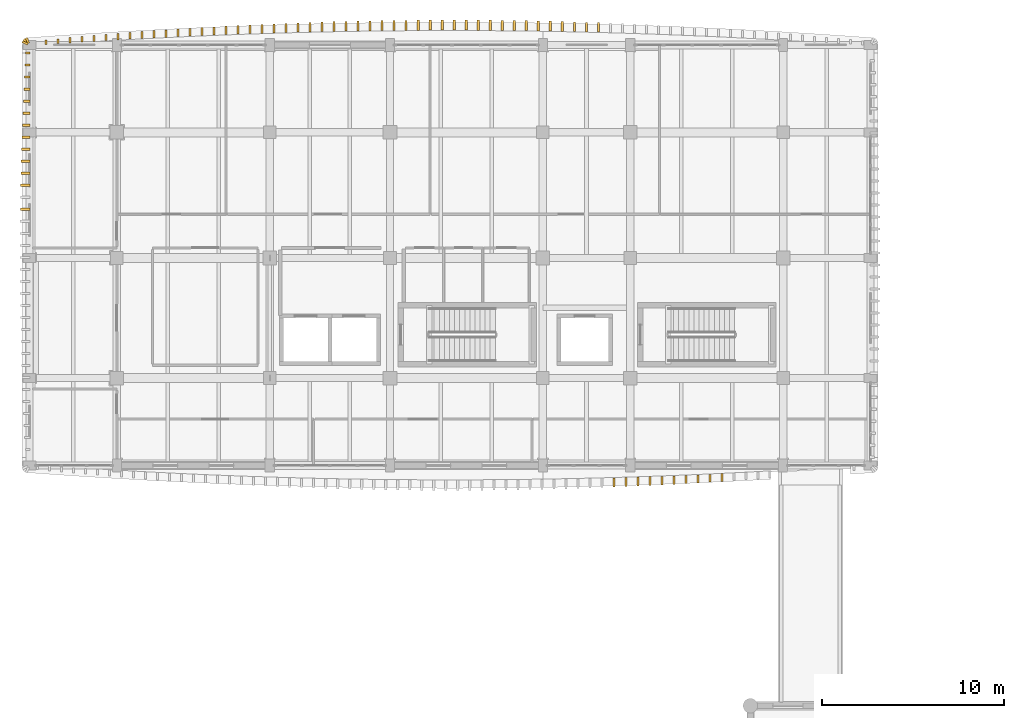
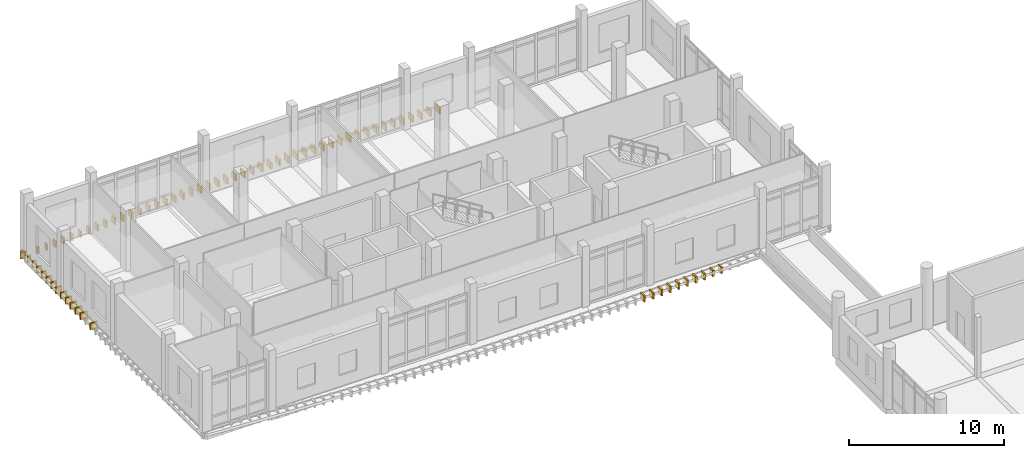
# One storey, part 70 of 76: 73 coverings.
"""IFC4 building model written with IfcOpenShell, lengths in metres."""

from ifc_helpers import new_model, si_unit, direction, frame, origin, origin_2d, place, context, subcontext, project, spatial, rectangle, extrude, material, layer, layer_set, type_object, element, save


model = new_model("IFC4")

# Units and contexts
model_context = context("Model", 3, precision=1e-05, world=origin(), true_north=direction((0.0, 1.0)))
body_context = subcontext(model_context, "Body", "Model", "MODEL_VIEW")
ifc_project = project(units=[si_unit("LENGTHUNIT", "METRE"), si_unit("AREAUNIT", "SQUARE_METRE"), si_unit("VOLUMEUNIT", "CUBIC_METRE"), si_unit("PLANEANGLEUNIT", "RADIAN"), si_unit("MASSUNIT", "GRAM", prefix="KILO")], contexts=[model_context])

# Site, building, storey
site_placement = place(None, origin())
site = spatial("IfcSite", under=ifc_project, at=site_placement, CompositionType="ELEMENT")
building_placement = place(site_placement, origin())
building = spatial("IfcBuilding", under=site, at=building_placement, Name="Dornvale Research Institute", CompositionType="ELEMENT")
storey_placement = place(building_placement, frame((0.0, 0.0, 15.0)))
storey = spatial("IfcBuildingStorey", under=building, at=storey_placement, Name="L03", CompositionType="ELEMENT", Elevation=15.0)

# Coverings
ifc_material = material(Name="Polychrome Glazed Terracotta Visor Rib Ceramic", Category="masonry")
ifc_layer = layer(ifc_material, 0.1201171875)
ifc_layer_set = layer_set([ifc_layer], Name="Polychrome Glazed Terracotta Visor Rib Ceramic")
covering_type = type_object("IfcCoveringType", Name="Covering_VisorBlade_Main", PredefinedType="CLADDING", material=ifc_layer_set)
covering_1_placement = place(storey_placement, frame((32.10791015625, 98.06640625, -0.489990234375), z_axis=(0.0, 0.0, 1.0), x_axis=(0.0, 1.0, 0.0)))
element("IfcCovering", 1, at=covering_1_placement, inside=storey, type_object=covering_type, Name="L03 V5 canted glazed terracotta visor blade #459", PredefinedType="CLADDING", context=body_context, shape_type="SweptSolid", body=[
    extrude(rectangle(XDim=0.508056640625, YDim=0.1201171875, at=origin_2d()), origin(), (0.0, 0.0, 1.0), 0.5),
])
covering_2_placement = place(storey_placement, frame((32.767578125, 98.0888671875, -0.489990234375), z_axis=(0.0, 0.0, 1.0), x_axis=(0.0, 1.0, 0.0)))
element("IfcCovering", 2, at=covering_2_placement, inside=storey, type_object=covering_type, Name="L03 V5 canted glazed terracotta visor blade #460", PredefinedType="CLADDING", context=body_context, shape_type="SweptSolid", body=[
    extrude(rectangle(XDim=0.5009765625, YDim=0.1201171875, at=origin_2d()), origin(), (0.0, 0.0, 1.0), 0.5),
])
covering_3_placement = place(storey_placement, frame((33.42724609375, 98.11474609375, -0.489990234375), z_axis=(0.0, 0.0, 1.0), x_axis=(0.0, 1.0, 0.0)))
element("IfcCovering", 3, at=covering_3_placement, inside=storey, type_object=covering_type, Name="L03 V5 canted glazed terracotta visor blade #461", PredefinedType="CLADDING", context=body_context, shape_type="SweptSolid", body=[
    extrude(rectangle(XDim=0.491943359375, YDim=0.1201171875, at=origin_2d()), origin(), (0.0, 0.0, 1.0), 0.5),
])
covering_4_placement = place(storey_placement, frame((34.0869140625, 98.141845703125, -0.489990234375), z_axis=(0.0, 0.0, 1.0), x_axis=(0.0, 1.0, 0.0)))
element("IfcCovering", 4, at=covering_4_placement, inside=storey, type_object=covering_type, Name="L03 V5 canted glazed terracotta visor blade #462", PredefinedType="CLADDING", context=body_context, shape_type="SweptSolid", body=[
    extrude(rectangle(XDim=0.48291015625, YDim=0.1201171875, at=origin_2d()), origin(), (0.0, 0.0, 1.0), 0.5),
])
covering_5_placement = place(storey_placement, frame((34.74658203125, 98.169189453125, -0.489990234375), z_axis=(0.0, 0.0, 1.0), x_axis=(0.0, 1.0, 0.0)))
element("IfcCovering", 5, at=covering_5_placement, inside=storey, type_object=covering_type, Name="L03 V5 canted glazed terracotta visor blade #463", PredefinedType="CLADDING", context=body_context, shape_type="SweptSolid", body=[
    extrude(rectangle(XDim=0.47412109375, YDim=0.1201171875, at=origin_2d()), origin(), (0.0, 0.0, 1.0), 0.5),
])
covering_6_placement = place(storey_placement, frame((35.406005859375, 98.2001953125, -0.489990234375), z_axis=(0.0, 0.0, 1.0), x_axis=(0.0, 1.0, 0.0)))
element("IfcCovering", 6, at=covering_6_placement, inside=storey, type_object=covering_type, Name="L03 V5 canted glazed terracotta visor blade #464", PredefinedType="CLADDING", context=body_context, shape_type="SweptSolid", body=[
    extrude(rectangle(XDim=0.464111328125, YDim=0.1201171875, at=origin_2d()), origin(), (0.0, 0.0, 1.0), 0.5),
])
covering_7_placement = place(storey_placement, frame((36.0654296875, 98.231689453125, -0.489990234375), z_axis=(0.0, 0.0, 1.0), x_axis=(0.0, 1.0, 0.0)))
element("IfcCovering", 7, at=covering_7_placement, inside=storey, type_object=covering_type, Name="L03 V5 canted glazed terracotta visor blade #465", PredefinedType="CLADDING", context=body_context, shape_type="SweptSolid", body=[
    extrude(rectangle(XDim=0.452880859375, YDim=0.1201171875, at=origin_2d()), origin(), (0.0, 0.0, 1.0), 0.5),
])
covering_8_placement = place(storey_placement, frame((36.724853515625, 98.265625, -0.489990234375), z_axis=(0.0, 0.0, 1.0), x_axis=(0.0, 1.0, 0.0)))
element("IfcCovering", 8, at=covering_8_placement, inside=storey, type_object=covering_type, Name="L03 V5 canted glazed terracotta visor blade #466", PredefinedType="CLADDING", context=body_context, shape_type="SweptSolid", body=[
    extrude(rectangle(XDim=0.44189453125, YDim=0.1201171875, at=origin_2d()), origin(), (0.0, 0.0, 1.0), 0.5),
])
covering_9_placement = place(storey_placement, frame((37.38427734375, 98.301025390625, -0.489990234375), z_axis=(0.0, 0.0, 1.0), x_axis=(0.0, 1.0, 0.0)))
element("IfcCovering", 9, at=covering_9_placement, inside=storey, type_object=covering_type, Name="L03 V5 canted glazed terracotta visor blade #467", PredefinedType="CLADDING", context=body_context, shape_type="SweptSolid", body=[
    extrude(rectangle(XDim=0.429931640625, YDim=0.1201171875, at=origin_2d()), origin(), (0.0, 0.0, 1.0), 0.5),
])
covering_10_placement = place(storey_placement, frame((38.043701171875, 98.3369140625, -0.489990234375), z_axis=(0.0, 0.0, 1.0), x_axis=(0.0, 1.0, 0.0)))
element("IfcCovering", 10, at=covering_10_placement, inside=storey, type_object=covering_type, Name="L03 V5 canted glazed terracotta visor blade #468", PredefinedType="CLADDING", context=body_context, shape_type="SweptSolid", body=[
    extrude(rectangle(XDim=0.41796875, YDim=0.1201171875, at=origin_2d()), origin(), (0.0, 0.0, 1.0), 0.5),
])
covering_11_placement = place(storey_placement, frame((31.25, 123.06298828125, -0.489990234375), z_axis=(0.0, 0.0, 1.0), x_axis=(0.0, 1.0, 0.0)))
element("IfcCovering", 11, at=covering_11_placement, inside=storey, type_object=covering_type, Name="L03 V5 canted glazed terracotta visor blade #496", PredefinedType="CLADDING", context=body_context, shape_type="SweptSolid", body=[
    extrude(rectangle(XDim=0.51806640625, YDim=0.1201171875, at=origin_2d()), origin(), (0.0, 0.0, 1.0), 0.5),
])
covering_12_placement = place(storey_placement, frame((30.590087890625, 123.08154296875, -0.489990234375), z_axis=(0.0, 0.0, 1.0), x_axis=(0.0, 1.0, 0.0)))
element("IfcCovering", 12, at=covering_12_placement, inside=storey, type_object=covering_type, Name="L03 V5 canted glazed terracotta visor blade #497", PredefinedType="CLADDING", context=body_context, shape_type="SweptSolid", body=[
    extrude(rectangle(XDim=0.52392578125, YDim=0.1201171875, at=origin_2d()), origin(), (0.0, 0.0, 1.0), 0.5),
])
covering_13_placement = place(storey_placement, frame((29.930419921875, 123.10009765625, -0.489990234375), z_axis=(0.0, 0.0, 1.0), x_axis=(0.0, 1.0, 0.0)))
element("IfcCovering", 13, at=covering_13_placement, inside=storey, type_object=covering_type, Name="L03 V5 canted glazed terracotta visor blade #498", PredefinedType="CLADDING", context=body_context, shape_type="SweptSolid", body=[
    extrude(rectangle(XDim=0.530029296875, YDim=0.1201171875, at=origin_2d()), origin(), (0.0, 0.0, 1.0), 0.5),
])
covering_14_placement = place(storey_placement, frame((29.2705078125, 123.116455078125, -0.489990234375), z_axis=(0.0, 0.0, 1.0), x_axis=(0.0, 1.0, 0.0)))
element("IfcCovering", 14, at=covering_14_placement, inside=storey, type_object=covering_type, Name="L03 V5 canted glazed terracotta visor blade #499", PredefinedType="CLADDING", context=body_context, shape_type="SweptSolid", body=[
    extrude(rectangle(XDim=0.535888671875, YDim=0.1201171875, at=origin_2d()), origin(), (0.0, 0.0, 1.0), 0.5),
])
covering_15_placement = place(storey_placement, frame((28.610595703125, 123.131103515625, -0.489990234375), z_axis=(0.0, 0.0, 1.0), x_axis=(0.0, 1.0, 0.0)))
element("IfcCovering", 15, at=covering_15_placement, inside=storey, type_object=covering_type, Name="L03 V5 canted glazed terracotta visor blade #500", PredefinedType="CLADDING", context=body_context, shape_type="SweptSolid", body=[
    extrude(rectangle(XDim=0.541015625, YDim=0.1201171875, at=origin_2d()), origin(), (0.0, 0.0, 1.0), 0.5),
])
covering_16_placement = place(storey_placement, frame((27.95068359375, 123.144775390625, -0.489990234375), z_axis=(0.0, 0.0, 1.0), x_axis=(0.0, 1.0, 0.0)))
element("IfcCovering", 16, at=covering_16_placement, inside=storey, type_object=covering_type, Name="L03 V5 canted glazed terracotta visor blade #501", PredefinedType="CLADDING", context=body_context, shape_type="SweptSolid", body=[
    extrude(rectangle(XDim=0.544921875, YDim=0.1201171875, at=origin_2d()), origin(), (0.0, 0.0, 1.0), 0.5),
])
covering_17_placement = place(storey_placement, frame((27.290771484375, 123.155517578125, -0.489990234375), z_axis=(0.0, 0.0, 1.0), x_axis=(0.0, 1.0, 0.0)))
element("IfcCovering", 17, at=covering_17_placement, inside=storey, type_object=covering_type, Name="L03 V5 canted glazed terracotta visor blade #502", PredefinedType="CLADDING", context=body_context, shape_type="SweptSolid", body=[
    extrude(rectangle(XDim=0.549072265625, YDim=0.1201171875, at=origin_2d()), origin(), (0.0, 0.0, 1.0), 0.5),
])
covering_18_placement = place(storey_placement, frame((26.630615234375, 123.165771484375, -0.489990234375), z_axis=(0.0, 0.0, 1.0), x_axis=(0.0, 1.0, 0.0)))
element("IfcCovering", 18, at=covering_18_placement, inside=storey, type_object=covering_type, Name="L03 V5 canted glazed terracotta visor blade #503", PredefinedType="CLADDING", context=body_context, shape_type="SweptSolid", body=[
    extrude(rectangle(XDim=0.552001953125, YDim=0.1201171875, at=origin_2d()), origin(), (0.0, 0.0, 1.0), 0.5),
])
covering_19_placement = place(storey_placement, frame((25.970703125, 123.173583984375, -0.489990234375), z_axis=(0.0, 0.0, 1.0), x_axis=(0.0, 1.0, 0.0)))
element("IfcCovering", 19, at=covering_19_placement, inside=storey, type_object=covering_type, Name="L03 V5 canted glazed terracotta visor blade #504", PredefinedType="CLADDING", context=body_context, shape_type="SweptSolid", body=[
    extrude(rectangle(XDim=0.554931640625, YDim=0.1201171875, at=origin_2d()), origin(), (0.0, 0.0, 1.0), 0.5),
])
covering_20_placement = place(storey_placement, frame((25.310791015625, 123.1796875, -0.489990234375), z_axis=(0.0, 0.0, 1.0), x_axis=(0.0, 1.0, 0.0)))
element("IfcCovering", 20, at=covering_20_placement, inside=storey, type_object=covering_type, Name="L03 V5 canted glazed terracotta visor blade #505", PredefinedType="CLADDING", context=body_context, shape_type="SweptSolid", body=[
    extrude(rectangle(XDim=0.556884765625, YDim=0.1201171875, at=origin_2d()), origin(), (0.0, 0.0, 1.0), 0.5),
])
covering_21_placement = place(storey_placement, frame((24.65087890625, 123.18505859375, -0.489990234375), z_axis=(0.0, 0.0, 1.0), x_axis=(0.0, 1.0, 0.0)))
element("IfcCovering", 21, at=covering_21_placement, inside=storey, type_object=covering_type, Name="L03 V5 canted glazed terracotta visor blade #506", PredefinedType="CLADDING", context=body_context, shape_type="SweptSolid", body=[
    extrude(rectangle(XDim=0.55810546875, YDim=0.1201171875, at=origin_2d()), origin(), (0.0, 0.0, 1.0), 0.5),
])
covering_22_placement = place(storey_placement, frame((23.99072265625, 123.187255859375, -0.489990234375), z_axis=(0.0, 0.0, 1.0), x_axis=(0.0, 1.0, 0.0)))
element("IfcCovering", 22, at=covering_22_placement, inside=storey, type_object=covering_type, Name="L03 V5 canted glazed terracotta visor blade #507", PredefinedType="CLADDING", context=body_context, shape_type="SweptSolid", body=[
    extrude(rectangle(XDim=0.55908203125, YDim=0.1201171875, at=origin_2d()), origin(), (0.0, 0.0, 1.0), 0.5),
])
for number, where, z_axis, x_axis, name in (
    (23, (23.330810546875, 123.189453125, -0.489990234375), (0.0, 0.0, 1.0), (0.0, 1.0, 0.0), "L03 V5 canted glazed terracotta visor blade #508"),
    (24, (22.6708984375, 123.18896484375, -0.489990234375), (0.0, 0.0, 1.0), (0.0, 1.0, 0.0), "L03 V5 canted glazed terracotta visor blade #509"),
):
    element("IfcCovering", number, at=place(storey_placement, frame(where, z_axis=z_axis, x_axis=x_axis)), inside=storey, type_object=covering_type, Name=name, PredefinedType="CLADDING", context=body_context, shape_type="SweptSolid", body=[
        extrude(rectangle(XDim=0.56005859375, YDim=0.1201171875, at=origin_2d()), origin(), (0.0, 0.0, 1.0), 0.5),
    ])
covering_23_placement = place(storey_placement, frame((22.0107421875, 123.186767578125, -0.489990234375), z_axis=(0.0, 0.0, 1.0), x_axis=(0.0, 1.0, 0.0)))
element("IfcCovering", 25, at=covering_23_placement, inside=storey, type_object=covering_type, Name="L03 V5 canted glazed terracotta visor blade #510", PredefinedType="CLADDING", context=body_context, shape_type="SweptSolid", body=[
    extrude(rectangle(XDim=0.55908203125, YDim=0.1201171875, at=origin_2d()), origin(), (0.0, 0.0, 1.0), 0.5),
])
covering_24_placement = place(storey_placement, frame((21.350830078125, 123.183837890625, -0.489990234375), z_axis=(0.0, 0.0, 1.0), x_axis=(0.0, 1.0, 0.0)))
element("IfcCovering", 26, at=covering_24_placement, inside=storey, type_object=covering_type, Name="L03 V5 canted glazed terracotta visor blade #511", PredefinedType="CLADDING", context=body_context, shape_type="SweptSolid", body=[
    extrude(rectangle(XDim=0.55810546875, YDim=0.1201171875, at=origin_2d()), origin(), (0.0, 0.0, 1.0), 0.5),
])
covering_25_placement = place(storey_placement, frame((20.69091796875, 123.177734375, -0.489990234375), z_axis=(0.0, 0.0, 1.0), x_axis=(0.0, 1.0, 0.0)))
element("IfcCovering", 27, at=covering_25_placement, inside=storey, type_object=covering_type, Name="L03 V5 canted glazed terracotta visor blade #512", PredefinedType="CLADDING", context=body_context, shape_type="SweptSolid", body=[
    extrude(rectangle(XDim=0.555908203125, YDim=0.1201171875, at=origin_2d()), origin(), (0.0, 0.0, 1.0), 0.5),
])
covering_26_placement = place(storey_placement, frame((20.031005859375, 123.17138671875, -0.489990234375), z_axis=(0.0, 0.0, 1.0), x_axis=(0.0, 1.0, 0.0)))
element("IfcCovering", 28, at=covering_26_placement, inside=storey, type_object=covering_type, Name="L03 V5 canted glazed terracotta visor blade #513", PredefinedType="CLADDING", context=body_context, shape_type="SweptSolid", body=[
    extrude(rectangle(XDim=0.553955078125, YDim=0.1201171875, at=origin_2d()), origin(), (0.0, 0.0, 1.0), 0.5),
])
covering_27_placement = place(storey_placement, frame((19.370849609375, 123.16259765625, -0.489990234375), z_axis=(0.0, 0.0, 1.0), x_axis=(0.0, 1.0, 0.0)))
element("IfcCovering", 29, at=covering_27_placement, inside=storey, type_object=covering_type, Name="L03 V5 canted glazed terracotta visor blade #514", PredefinedType="CLADDING", context=body_context, shape_type="SweptSolid", body=[
    extrude(rectangle(XDim=0.551025390625, YDim=0.1201171875, at=origin_2d()), origin(), (0.0, 0.0, 1.0), 0.5),
])
covering_28_placement = place(storey_placement, frame((18.7109375, 123.15234375, -0.489990234375), z_axis=(0.0, 0.0, 1.0), x_axis=(0.0, 1.0, 0.0)))
element("IfcCovering", 30, at=covering_28_placement, inside=storey, type_object=covering_type, Name="L03 V5 canted glazed terracotta visor blade #515", PredefinedType="CLADDING", context=body_context, shape_type="SweptSolid", body=[
    extrude(rectangle(XDim=0.548095703125, YDim=0.1201171875, at=origin_2d()), origin(), (0.0, 0.0, 1.0), 0.5),
])
covering_29_placement = place(storey_placement, frame((18.051025390625, 123.14111328125, -0.489990234375), z_axis=(0.0, 0.0, 1.0), x_axis=(0.0, 1.0, 0.0)))
element("IfcCovering", 31, at=covering_29_placement, inside=storey, type_object=covering_type, Name="L03 V5 canted glazed terracotta visor blade #516", PredefinedType="CLADDING", context=body_context, shape_type="SweptSolid", body=[
    extrude(rectangle(XDim=0.5439453125, YDim=0.1201171875, at=origin_2d()), origin(), (0.0, 0.0, 1.0), 0.5),
])
covering_30_placement = place(storey_placement, frame((17.39111328125, 123.12646484375, -0.489990234375), z_axis=(0.0, 0.0, 1.0), x_axis=(0.0, 1.0, 0.0)))
element("IfcCovering", 32, at=covering_30_placement, inside=storey, type_object=covering_type, Name="L03 V5 canted glazed terracotta visor blade #517", PredefinedType="CLADDING", context=body_context, shape_type="SweptSolid", body=[
    extrude(rectangle(XDim=0.5390625, YDim=0.1201171875, at=origin_2d()), origin(), (0.0, 0.0, 1.0), 0.5),
])
covering_31_placement = place(storey_placement, frame((16.731201171875, 123.11181640625, -0.489990234375), z_axis=(0.0, 0.0, 1.0), x_axis=(0.0, 1.0, 0.0)))
element("IfcCovering", 33, at=covering_31_placement, inside=storey, type_object=covering_type, Name="L03 V5 canted glazed terracotta visor blade #518", PredefinedType="CLADDING", context=body_context, shape_type="SweptSolid", body=[
    extrude(rectangle(XDim=0.533935546875, YDim=0.1201171875, at=origin_2d()), origin(), (0.0, 0.0, 1.0), 0.5),
])
covering_32_placement = place(storey_placement, frame((16.0712890625, 123.094970703125, -0.489990234375), z_axis=(0.0, 0.0, 1.0), x_axis=(0.0, 1.0, 0.0)))
element("IfcCovering", 34, at=covering_32_placement, inside=storey, type_object=covering_type, Name="L03 V5 canted glazed terracotta visor blade #519", PredefinedType="CLADDING", context=body_context, shape_type="SweptSolid", body=[
    extrude(rectangle(XDim=0.529052734375, YDim=0.1201171875, at=origin_2d()), origin(), (0.0, 0.0, 1.0), 0.5),
])
covering_33_placement = place(storey_placement, frame((15.41162109375, 123.075927734375, -0.489990234375), z_axis=(0.0, 0.0, 1.0), x_axis=(0.0, 1.0, 0.0)))
element("IfcCovering", 35, at=covering_33_placement, inside=storey, type_object=covering_type, Name="L03 V5 canted glazed terracotta visor blade #520", PredefinedType="CLADDING", context=body_context, shape_type="SweptSolid", body=[
    extrude(rectangle(XDim=0.52197265625, YDim=0.1201171875, at=origin_2d()), origin(), (0.0, 0.0, 1.0), 0.5),
])
covering_34_placement = place(storey_placement, frame((14.751708984375, 123.056884765625, -0.489990234375), z_axis=(0.0, 0.0, 1.0), x_axis=(0.0, 1.0, 0.0)))
element("IfcCovering", 36, at=covering_34_placement, inside=storey, type_object=covering_type, Name="L03 V5 canted glazed terracotta visor blade #521", PredefinedType="CLADDING", context=body_context, shape_type="SweptSolid", body=[
    extrude(rectangle(XDim=0.51611328125, YDim=0.1201171875, at=origin_2d()), origin(), (0.0, 0.0, 1.0), 0.5),
])
covering_35_placement = place(storey_placement, frame((14.092041015625, 123.03369140625, -0.489990234375), z_axis=(0.0, 0.0, 1.0), x_axis=(0.0, 1.0, 0.0)))
element("IfcCovering", 37, at=covering_35_placement, inside=storey, type_object=covering_type, Name="L03 V5 canted glazed terracotta visor blade #522", PredefinedType="CLADDING", context=body_context, shape_type="SweptSolid", body=[
    extrude(rectangle(XDim=0.508056640625, YDim=0.1201171875, at=origin_2d()), origin(), (0.0, 0.0, 1.0), 0.5),
])
covering_36_placement = place(storey_placement, frame((13.432373046875, 123.010986328125, -0.489990234375), z_axis=(0.0, 0.0, 1.0), x_axis=(0.0, 1.0, 0.0)))
element("IfcCovering", 38, at=covering_36_placement, inside=storey, type_object=covering_type, Name="L03 V5 canted glazed terracotta visor blade #523", PredefinedType="CLADDING", context=body_context, shape_type="SweptSolid", body=[
    extrude(rectangle(XDim=0.5009765625, YDim=0.1201171875, at=origin_2d()), origin(), (0.0, 0.0, 1.0), 0.5),
])
covering_37_placement = place(storey_placement, frame((12.772705078125, 122.9853515625, -0.489990234375), z_axis=(0.0, 0.0, 1.0), x_axis=(0.0, 1.0, 0.0)))
element("IfcCovering", 39, at=covering_37_placement, inside=storey, type_object=covering_type, Name="L03 V5 canted glazed terracotta visor blade #524", PredefinedType="CLADDING", context=body_context, shape_type="SweptSolid", body=[
    extrude(rectangle(XDim=0.491943359375, YDim=0.1201171875, at=origin_2d()), origin(), (0.0, 0.0, 1.0), 0.5),
])
covering_38_placement = place(storey_placement, frame((12.113037109375, 122.958251953125, -0.489990234375), z_axis=(0.0, 0.0, 1.0), x_axis=(0.0, 1.0, 0.0)))
element("IfcCovering", 40, at=covering_38_placement, inside=storey, type_object=covering_type, Name="L03 V5 canted glazed terracotta visor blade #525", PredefinedType="CLADDING", context=body_context, shape_type="SweptSolid", body=[
    extrude(rectangle(XDim=0.48291015625, YDim=0.1201171875, at=origin_2d()), origin(), (0.0, 0.0, 1.0), 0.5),
])
covering_39_placement = place(storey_placement, frame((11.45361328125, 122.9306640625, -0.489990234375), z_axis=(0.0, 0.0, 1.0), x_axis=(0.0, 1.0, 0.0)))
element("IfcCovering", 41, at=covering_39_placement, inside=storey, type_object=covering_type, Name="L03 V5 canted glazed terracotta visor blade #526", PredefinedType="CLADDING", context=body_context, shape_type="SweptSolid", body=[
    extrude(rectangle(XDim=0.47412109375, YDim=0.1201171875, at=origin_2d()), origin(), (0.0, 0.0, 1.0), 0.5),
])
covering_40_placement = place(storey_placement, frame((10.7939453125, 122.899658203125, -0.489990234375), z_axis=(0.0, 0.0, 1.0), x_axis=(0.0, 1.0, 0.0)))
element("IfcCovering", 42, at=covering_40_placement, inside=storey, type_object=covering_type, Name="L03 V5 canted glazed terracotta visor blade #527", PredefinedType="CLADDING", context=body_context, shape_type="SweptSolid", body=[
    extrude(rectangle(XDim=0.464111328125, YDim=0.1201171875, at=origin_2d()), origin(), (0.0, 0.0, 1.0), 0.5),
])
covering_41_placement = place(storey_placement, frame((10.134521484375, 122.8681640625, -0.489990234375), z_axis=(0.0, 0.0, 1.0), x_axis=(0.0, 1.0, 0.0)))
element("IfcCovering", 43, at=covering_41_placement, inside=storey, type_object=covering_type, Name="L03 V5 canted glazed terracotta visor blade #528", PredefinedType="CLADDING", context=body_context, shape_type="SweptSolid", body=[
    extrude(rectangle(XDim=0.452880859375, YDim=0.1201171875, at=origin_2d()), origin(), (0.0, 0.0, 1.0), 0.5),
])
covering_42_placement = place(storey_placement, frame((9.47509765625, 122.83447265625, -0.489990234375), z_axis=(0.0, 0.0, 1.0), x_axis=(0.0, 1.0, 0.0)))
element("IfcCovering", 44, at=covering_42_placement, inside=storey, type_object=covering_type, Name="L03 V5 canted glazed terracotta visor blade #529", PredefinedType="CLADDING", context=body_context, shape_type="SweptSolid", body=[
    extrude(rectangle(XDim=0.44189453125, YDim=0.1201171875, at=origin_2d()), origin(), (0.0, 0.0, 1.0), 0.5),
])
covering_43_placement = place(storey_placement, frame((8.81591796875, 122.799072265625, -0.489990234375), z_axis=(0.0, 0.0, 1.0), x_axis=(0.0, 1.0, 0.0)))
element("IfcCovering", 45, at=covering_43_placement, inside=storey, type_object=covering_type, Name="L03 V5 canted glazed terracotta visor blade #530", PredefinedType="CLADDING", context=body_context, shape_type="SweptSolid", body=[
    extrude(rectangle(XDim=0.429931640625, YDim=0.1201171875, at=origin_2d()), origin(), (0.0, 0.0, 1.0), 0.5),
])
covering_44_placement = place(storey_placement, frame((8.156494140625, 122.762939453125, -0.489990234375), z_axis=(0.0, 0.0, 1.0), x_axis=(0.0, 1.0, 0.0)))
element("IfcCovering", 46, at=covering_44_placement, inside=storey, type_object=covering_type, Name="L03 V5 canted glazed terracotta visor blade #531", PredefinedType="CLADDING", context=body_context, shape_type="SweptSolid", body=[
    extrude(rectangle(XDim=0.41796875, YDim=0.1201171875, at=origin_2d()), origin(), (0.0, 0.0, 1.0), 0.5),
])
covering_45_placement = place(storey_placement, frame((7.497314453125, 122.7236328125, -0.489990234375), z_axis=(0.0, 0.0, 1.0), x_axis=(0.0, 1.0, 0.0)))
element("IfcCovering", 47, at=covering_45_placement, inside=storey, type_object=covering_type, Name="L03 V5 canted glazed terracotta visor blade #532", PredefinedType="CLADDING", context=body_context, shape_type="SweptSolid", body=[
    extrude(rectangle(XDim=0.405029296875, YDim=0.1201171875, at=origin_2d()), origin(), (0.0, 0.0, 1.0), 0.5),
])
covering_46_placement = place(storey_placement, frame((6.838134765625, 122.68408203125, -0.489990234375), z_axis=(0.0, 0.0, 1.0), x_axis=(0.0, 1.0, 0.0)))
element("IfcCovering", 48, at=covering_46_placement, inside=storey, type_object=covering_type, Name="L03 V5 canted glazed terracotta visor blade #533", PredefinedType="CLADDING", context=body_context, shape_type="SweptSolid", body=[
    extrude(rectangle(XDim=0.39208984375, YDim=0.1201171875, at=origin_2d()), origin(), (0.0, 0.0, 1.0), 0.5),
])
covering_47_placement = place(storey_placement, frame((6.178955078125, 122.64208984375, -0.489990234375), z_axis=(0.0, 0.0, 1.0), x_axis=(0.0, 1.0, 0.0)))
element("IfcCovering", 49, at=covering_47_placement, inside=storey, type_object=covering_type, Name="L03 V5 canted glazed terracotta visor blade #534", PredefinedType="CLADDING", context=body_context, shape_type="SweptSolid", body=[
    extrude(rectangle(XDim=0.3779296875, YDim=0.1201171875, at=origin_2d()), origin(), (0.0, 0.0, 1.0), 0.5),
])
covering_48_placement = place(storey_placement, frame((5.52001953125, 122.59814453125, -0.489990234375), z_axis=(0.0, 0.0, 1.0), x_axis=(0.0, 1.0, 0.0)))
element("IfcCovering", 50, at=covering_48_placement, inside=storey, type_object=covering_type, Name="L03 V5 canted glazed terracotta visor blade #535", PredefinedType="CLADDING", context=body_context, shape_type="SweptSolid", body=[
    extrude(rectangle(XDim=0.363037109375, YDim=0.1201171875, at=origin_2d()), origin(), (0.0, 0.0, 1.0), 0.5),
])
covering_49_placement = place(storey_placement, frame((4.861083984375, 122.553955078125, -0.489990234375), z_axis=(0.0, 0.0, 1.0), x_axis=(0.0, 1.0, 0.0)))
element("IfcCovering", 51, at=covering_49_placement, inside=storey, type_object=covering_type, Name="L03 V5 canted glazed terracotta visor blade #536", PredefinedType="CLADDING", context=body_context, shape_type="SweptSolid", body=[
    extrude(rectangle(XDim=0.347900390625, YDim=0.1201171875, at=origin_2d()), origin(), (0.0, 0.0, 1.0), 0.5),
])
covering_50_placement = place(storey_placement, frame((4.202392578125, 122.506591796875, -0.489990234375), z_axis=(0.0, 0.0, 1.0), x_axis=(0.0, 1.0, 0.0)))
element("IfcCovering", 52, at=covering_50_placement, inside=storey, type_object=covering_type, Name="L03 V5 canted glazed terracotta visor blade #537", PredefinedType="CLADDING", context=body_context, shape_type="SweptSolid", body=[
    extrude(rectangle(XDim=0.3330078125, YDim=0.1201171875, at=origin_2d()), origin(), (0.0, 0.0, 1.0), 0.5),
])
covering_51_placement = place(storey_placement, frame((3.54345703125, 122.458251953125, -0.489990234375), z_axis=(0.0, 0.0, 1.0), x_axis=(0.0, 1.0, 0.0)))
element("IfcCovering", 53, at=covering_51_placement, inside=storey, type_object=covering_type, Name="L03 V5 canted glazed terracotta visor blade #538", PredefinedType="CLADDING", context=body_context, shape_type="SweptSolid", body=[
    extrude(rectangle(XDim=0.31591796875, YDim=0.1201171875, at=origin_2d()), origin(), (0.0, 0.0, 1.0), 0.5),
])
covering_52_placement = place(storey_placement, frame((2.884765625, 122.408203125, -0.489990234375), z_axis=(0.0, 0.0, 1.0), x_axis=(0.0, 1.0, 0.0)))
element("IfcCovering", 54, at=covering_52_placement, inside=storey, type_object=covering_type, Name="L03 V5 canted glazed terracotta visor blade #539", PredefinedType="CLADDING", context=body_context, shape_type="SweptSolid", body=[
    extrude(rectangle(XDim=0.300048828125, YDim=0.1201171875, at=origin_2d()), origin(), (0.0, 0.0, 1.0), 0.5),
])
covering_53_placement = place(storey_placement, frame((2.226318359375, 122.35595703125, -0.489990234375), z_axis=(0.0, 0.0, 1.0), x_axis=(0.0, 1.0, 0.0)))
element("IfcCovering", 55, at=covering_53_placement, inside=storey, type_object=covering_type, Name="L03 V5 canted glazed terracotta visor blade #540", PredefinedType="CLADDING", context=body_context, shape_type="SweptSolid", body=[
    extrude(rectangle(XDim=0.281982421875, YDim=0.1201171875, at=origin_2d()), origin(), (0.0, 0.0, 1.0), 0.5),
])
covering_54_placement = place(storey_placement, frame((1.567626953125, 122.3037109375, -0.489990234375), z_axis=(0.0, 0.0, 1.0), x_axis=(0.0, 1.0, 0.0)))
element("IfcCovering", 56, at=covering_54_placement, inside=storey, type_object=covering_type, Name="L03 V5 canted glazed terracotta visor blade #541", PredefinedType="CLADDING", context=body_context, shape_type="SweptSolid", body=[
    extrude(rectangle(XDim=0.264892578125, YDim=0.1201171875, at=origin_2d()), origin(), (0.0, 0.0, 1.0), 0.5),
])
for number, where, z_axis, x_axis, name in (
    (57, (0.9091796875, 122.24755859375, -0.489990234375), (0.0, 0.0, 1.0), (0.0, 1.0, 0.0), "L03 V5 canted glazed terracotta visor blade #542"),
    (58, (-0.0830078125, 121.64990234375, -0.489990234375), (0.0, 0.0, 1.0), (1.0, 0.0, 0.0), "L03 V5 canted glazed terracotta visor blade #577"),
):
    element("IfcCovering", number, at=place(storey_placement, frame(where, z_axis=z_axis, x_axis=x_axis)), inside=storey, type_object=covering_type, Name=name, PredefinedType="CLADDING", context=body_context, shape_type="SweptSolid", body=[
        extrude(rectangle(XDim=0.24609375, YDim=0.1201171875, at=origin_2d()), origin(), (0.0, 0.0, 1.0), 0.5),
    ])
covering_55_placement = place(storey_placement, frame((-0.10107421875, 120.989990234375, -0.489990234375), z_axis=(0.0, 0.0, 1.0), x_axis=(1.0, 0.0, 0.0)))
element("IfcCovering", 59, at=covering_55_placement, inside=storey, type_object=covering_type, Name="L03 V5 canted glazed terracotta visor blade #578", PredefinedType="CLADDING", context=body_context, shape_type="SweptSolid", body=[
    extrude(rectangle(XDim=0.281982421875, YDim=0.1201171875, at=origin_2d()), origin(), (0.0, 0.0, 1.0), 0.5),
])
covering_56_placement = place(storey_placement, frame((-0.117919921875, 120.330078125, -0.489990234375), z_axis=(0.0, 0.0, 1.0), x_axis=(1.0, 0.0, 0.0)))
element("IfcCovering", 60, at=covering_56_placement, inside=storey, type_object=covering_type, Name="L03 V5 canted glazed terracotta visor blade #579", PredefinedType="CLADDING", context=body_context, shape_type="SweptSolid", body=[
    extrude(rectangle(XDim=0.31591796875, YDim=0.1201171875, at=origin_2d()), origin(), (0.0, 0.0, 1.0), 0.5),
])
covering_57_placement = place(storey_placement, frame((-0.134033203125, 119.669921875, -0.489990234375), z_axis=(0.0, 0.0, 1.0), x_axis=(1.0, 0.0, 0.0)))
element("IfcCovering", 61, at=covering_57_placement, inside=storey, type_object=covering_type, Name="L03 V5 canted glazed terracotta visor blade #580", PredefinedType="CLADDING", context=body_context, shape_type="SweptSolid", body=[
    extrude(rectangle(XDim=0.347900390625, YDim=0.1201171875, at=origin_2d()), origin(), (0.0, 0.0, 1.0), 0.5),
])
covering_58_placement = place(storey_placement, frame((-0.14892578125, 119.010009765625, -0.489990234375), z_axis=(0.0, 0.0, 1.0), x_axis=(1.0, 0.0, 0.0)))
element("IfcCovering", 62, at=covering_58_placement, inside=storey, type_object=covering_type, Name="L03 V5 canted glazed terracotta visor blade #581", PredefinedType="CLADDING", context=body_context, shape_type="SweptSolid", body=[
    extrude(rectangle(XDim=0.3779296875, YDim=0.1201171875, at=origin_2d()), origin(), (0.0, 0.0, 1.0), 0.5),
])
covering_59_placement = place(storey_placement, frame((-0.16259765625, 118.35009765625, -0.489990234375), z_axis=(0.0, 0.0, 1.0), x_axis=(1.0, 0.0, 0.0)))
element("IfcCovering", 63, at=covering_59_placement, inside=storey, type_object=covering_type, Name="L03 V5 canted glazed terracotta visor blade #582", PredefinedType="CLADDING", context=body_context, shape_type="SweptSolid", body=[
    extrude(rectangle(XDim=0.405029296875, YDim=0.1201171875, at=origin_2d()), origin(), (0.0, 0.0, 1.0), 0.5),
])
covering_60_placement = place(storey_placement, frame((-0.175048828125, 117.68994140625, -0.489990234375), z_axis=(0.0, 0.0, 1.0), x_axis=(1.0, 0.0, 0.0)))
element("IfcCovering", 64, at=covering_60_placement, inside=storey, type_object=covering_type, Name="L03 V5 canted glazed terracotta visor blade #583", PredefinedType="CLADDING", context=body_context, shape_type="SweptSolid", body=[
    extrude(rectangle(XDim=0.429931640625, YDim=0.1201171875, at=origin_2d()), origin(), (0.0, 0.0, 1.0), 0.5),
])
covering_61_placement = place(storey_placement, frame((-0.1865234375, 117.030029296875, -0.489990234375), z_axis=(0.0, 0.0, 1.0), x_axis=(1.0, 0.0, 0.0)))
element("IfcCovering", 65, at=covering_61_placement, inside=storey, type_object=covering_type, Name="L03 V5 canted glazed terracotta visor blade #584", PredefinedType="CLADDING", context=body_context, shape_type="SweptSolid", body=[
    extrude(rectangle(XDim=0.452880859375, YDim=0.1201171875, at=origin_2d()), origin(), (0.0, 0.0, 1.0), 0.5),
])
covering_62_placement = place(storey_placement, frame((-0.197021484375, 116.3701171875, -0.489990234375), z_axis=(0.0, 0.0, 1.0), x_axis=(1.0, 0.0, 0.0)))
element("IfcCovering", 66, at=covering_62_placement, inside=storey, type_object=covering_type, Name="L03 V5 canted glazed terracotta visor blade #585", PredefinedType="CLADDING", context=body_context, shape_type="SweptSolid", body=[
    extrude(rectangle(XDim=0.47412109375, YDim=0.1201171875, at=origin_2d()), origin(), (0.0, 0.0, 1.0), 0.5),
])
covering_63_placement = place(storey_placement, frame((-0.2060546875, 115.7099609375, -0.489990234375), z_axis=(0.0, 0.0, 1.0), x_axis=(1.0, 0.0, 0.0)))
element("IfcCovering", 67, at=covering_63_placement, inside=storey, type_object=covering_type, Name="L03 V5 canted glazed terracotta visor blade #586", PredefinedType="CLADDING", context=body_context, shape_type="SweptSolid", body=[
    extrude(rectangle(XDim=0.491943359375, YDim=0.1201171875, at=origin_2d()), origin(), (0.0, 0.0, 1.0), 0.5),
])
covering_64_placement = place(storey_placement, frame((-0.214111328125, 115.050048828125, -0.489990234375), z_axis=(0.0, 0.0, 1.0), x_axis=(1.0, 0.0, 0.0)))
element("IfcCovering", 68, at=covering_64_placement, inside=storey, type_object=covering_type, Name="L03 V5 canted glazed terracotta visor blade #587", PredefinedType="CLADDING", context=body_context, shape_type="SweptSolid", body=[
    extrude(rectangle(XDim=0.508056640625, YDim=0.1201171875, at=origin_2d()), origin(), (0.0, 0.0, 1.0), 0.5),
])
covering_65_placement = place(storey_placement, frame((-0.220947265625, 114.389892578125, -0.489990234375), z_axis=(0.0, 0.0, 1.0), x_axis=(1.0, 0.0, 0.0)))
element("IfcCovering", 69, at=covering_65_placement, inside=storey, type_object=covering_type, Name="L03 V5 canted glazed terracotta visor blade #588", PredefinedType="CLADDING", context=body_context, shape_type="SweptSolid", body=[
    extrude(rectangle(XDim=0.52197265625, YDim=0.1201171875, at=origin_2d()), origin(), (0.0, 0.0, 1.0), 0.5),
])
covering_66_placement = place(storey_placement, frame((-0.23193359375, 113.070068359375, -0.489990234375), z_axis=(0.0, 0.0, 1.0), x_axis=(1.0, 0.0, 0.0)))
element("IfcCovering", 70, at=covering_66_placement, inside=storey, type_object=covering_type, Name="L03 V5 canted glazed terracotta visor blade #590", PredefinedType="CLADDING", context=body_context, shape_type="SweptSolid", body=[
    extrude(rectangle(XDim=0.5439453125, YDim=0.1201171875, at=origin_2d()), origin(), (0.0, 0.0, 1.0), 0.5),
])
for number, where, z_axis, x_axis, name in (
    (71, (-0.114013671875, 122.3447265625, -0.489990234375), (0.0, 0.0, 1.0), (-0.422618261741, 0.906307787037, 0.0), "L03 V5 corner-wrapping visor blade #620"),
    (72, (-0.19091796875, 122.291015625, -0.489990234375), (0.0, 0.0, 1.0), (-0.707106781187, 0.707106781187, 0.0), "L03 V5 corner-wrapping visor blade #621"),
    (73, (-0.24462890625, 122.214111328125, -0.489990234375), (0.0, 0.0, 1.0), (-0.906307787037, 0.422618261741, 0.0), "L03 V5 corner-wrapping visor blade #622"),
):
    element("IfcCovering", number, at=place(storey_placement, frame(where, z_axis=z_axis, x_axis=x_axis)), inside=storey, type_object=covering_type, Name=name, PredefinedType="CLADDING", context=body_context, shape_type="SweptSolid", body=[
        extrude(rectangle(XDim=0.320068359375, YDim=0.1201171875, at=origin_2d()), origin(), (0.0, 0.0, 1.0), 0.5),
    ])

save(model, "model.ifc")
